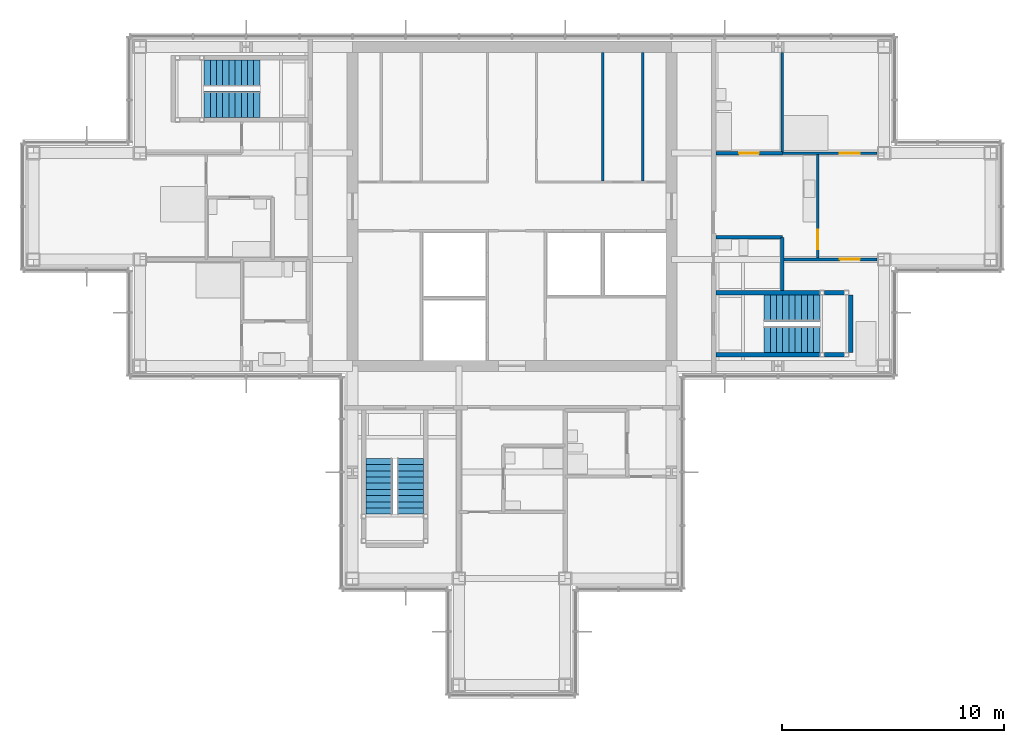
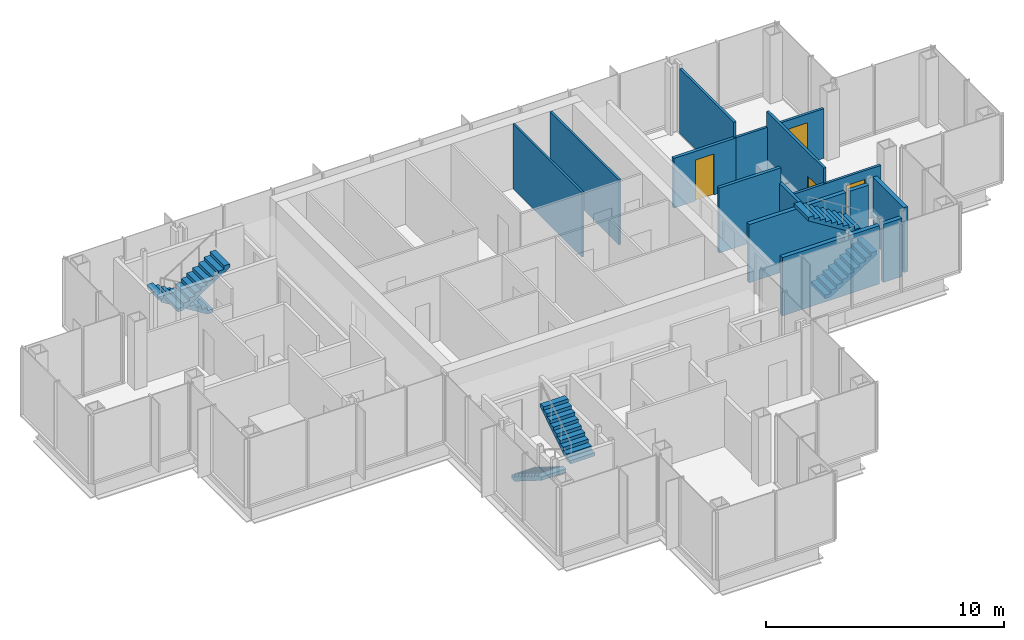
# One storey, part 12 of 15: 14 walls, 6 stair flights, 4 doors, 4 openings, 3 elements without a shape of their own.
"""IFC4 building model written with IfcOpenShell, lengths in metres."""

from ifc_helpers import new_model, si_unit, direction, frame, frame_2d, origin, place, context, subcontext, project, spatial, polyline, rectangle, outline, extrude, material, layer, layer_set, type_object, element, fill, aggregate, save


model = new_model("IFC4")

# Units and contexts
model_context = context("Model", 3, precision=1e-05, world=origin(), true_north=direction((0.0, 1.0)))
body_context = subcontext(model_context, "Body", "Model", "MODEL_VIEW")
ifc_project = project(units=[si_unit("LENGTHUNIT", "METRE"), si_unit("AREAUNIT", "SQUARE_METRE"), si_unit("VOLUMEUNIT", "CUBIC_METRE"), si_unit("PLANEANGLEUNIT", "RADIAN"), si_unit("MASSUNIT", "GRAM", prefix="KILO")], contexts=[model_context])

# Site, building, storey
site_placement = place(None, origin())
site = spatial("IfcSite", under=ifc_project, at=site_placement, CompositionType="ELEMENT")
building_placement = place(site_placement, origin())
building = spatial("IfcBuilding", under=site, at=building_placement, Name="Kvirike Care Tower", CompositionType="ELEMENT")
storey_placement = place(building_placement, frame((0.0, 0.0, 205.0)))
storey = spatial("IfcBuildingStorey", under=building, at=storey_placement, Name="L56", CompositionType="ELEMENT", Elevation=205.0)

# Walls
ifc_material_1 = material(Name="Moisture-resistant board partition", Category="gypsum")
ifc_layer_1 = layer(ifc_material_1, 0.14990234375)
ifc_layer_set_1 = layer_set([ifc_layer_1], Name="BATHROOM WALL 150")
wall_type_1 = type_object("IfcWallType", Name="BATHROOM WALL 150", PredefinedType="PARTITIONING", material=ifc_layer_set_1)
wall_1_placement = place(storey_placement, frame((33.800048828125, 32.199951171875, 0.0), z_axis=(0.0, 0.0, 1.0), x_axis=(0.0, 1.0, 0.0)))
element("IfcWall", 1, at=wall_1_placement, inside=storey, type_object=wall_type_1, Name="Bathroom Wall 150 L56", PredefinedType="PARTITIONING", context=body_context, shape_type="SweptSolid", body=[
    extrude(rectangle(XDim=2.400146484375, YDim=0.14990234375, at=frame_2d((1.2001953125, 0.0))), origin(), (0.0, 0.0, 1.0), 2.550048828125),
])
wall_2_placement = place(storey_placement, frame((33.800048828125, 34.60009765625, 0.0), z_axis=(0.0, 0.0, 1.0), x_axis=(-1.0, 0.0, 0.0)))
element("IfcWall", 2, at=wall_2_placement, inside=storey, type_object=wall_type_1, Name="Bathroom Wall 150 L56", PredefinedType="PARTITIONING", context=body_context, shape_type="SweptSolid", body=[
    extrude(rectangle(XDim=3.0, YDim=0.14990234375, at=frame_2d((1.5, 0.0))), origin(), (0.0, 0.0, 1.0), 3.330078125),
])

# Wall, opening, door
wall_3_placement = place(storey_placement, frame((33.800048828125, 38.39990234375, 0.0), z_axis=(0.0, 0.0, 1.0), x_axis=(-1.0, 0.0, 0.0)))
wall_3 = element("IfcWall", 3, at=wall_3_placement, inside=storey, type_object=wall_type_1, Name="Bathroom Wall 150 L56", PredefinedType="PARTITIONING", context=body_context, shape_type="SweptSolid", body=[
    extrude(rectangle(XDim=3.0, YDim=0.14990234375, at=frame_2d((1.5, 0.0))), origin(), (0.0, 0.0, 1.0), 2.550048828125),
])
opening_1_placement = place(wall_3_placement, frame((1.050048828125, 0.0, 0.0)))
opening_1 = element("IfcOpeningElement", 4, at=opening_1_placement, cuts=wall_3, Name="Opening 56-017", PredefinedType="OPENING", context=body_context, shape_type="SweptSolid", body=[
    extrude(rectangle(XDim=0.89990234375, YDim=2.10009765625, at=frame_2d((0.449951171875, 1.050048828125))), frame((0.0, 0.08544921875, 0.0), z_axis=(0.0, -1.0, 0.0), x_axis=(1.0, 0.0, 0.0)), (0.0, 0.0, 1.0), 0.1708984375),
])
ifc_material_2 = material(Name="Timber door set", Category="wood")
door_type_1 = type_object("IfcDoorType", Name="BATHROOM DOOR 900", OperationType="SINGLE_SWING_RIGHT", PredefinedType="DOOR", material=ifc_material_2)
door_1_placement = place(opening_1_placement, frame((0.89990234375, 0.0, 0.0), z_axis=(0.0, 0.0, 1.0), x_axis=(-1.0, 0.0, 0.0)))
door_1 = element("IfcDoor", 5, at=door_1_placement, inside=storey, type_object=door_type_1, Name="Bathroom door", OperationType="SINGLE_SWING_LEFT", OverallHeight=2.10009765625, OverallWidth=0.89990234375, PredefinedType="DOOR", context=body_context, shape_type="SweptSolid", body=[
    extrude(rectangle(XDim=0.89990234375, YDim=2.10009765625, at=frame_2d((0.449951171875, 1.050048828125))), frame((0.0, 0.02197265625, 0.0), z_axis=(0.0, -1.0, 0.0), x_axis=(1.0, 0.0, 0.0)), (0.0, 0.0, 1.0), 0.0439453125),
])
fill(opening_1, door_1)

ifc_material_3 = material(Name="Plasterboard partition", Category="gypsum")
ifc_layer_2 = layer(ifc_material_3, 0.1201171875)
ifc_layer_set_2 = layer_set([ifc_layer_2], Name="PARTITION 120")
wall_type_2 = type_object("IfcWallType", Name="PARTITION 120", PredefinedType="PARTITIONING", material=ifc_layer_set_2)
wall_4_placement = place(storey_placement, frame((35.39990234375, 33.60009765625, 0.0), z_axis=(0.0, 0.0, 1.0), x_axis=(0.0, 1.0, 0.0)))
wall_4 = element("IfcWall", 6, at=wall_4_placement, inside=storey, type_object=wall_type_2, Name="Partition 120 L56", PredefinedType="PARTITIONING", context=body_context, shape_type="SweptSolid", body=[
    extrude(rectangle(XDim=4.7998046875, YDim=0.1201171875, at=frame_2d((2.39990234375, 0.0))), origin(), (0.0, 0.0, 1.0), 3.330078125),
])
opening_2_placement = place(wall_4_placement, frame((0.449951171875, 0.0, 0.0)))
opening_2 = element("IfcOpeningElement", 7, at=opening_2_placement, cuts=wall_4, Name="Opening 56-018", PredefinedType="OPENING", context=body_context, shape_type="SweptSolid", body=[
    extrude(rectangle(XDim=0.89990234375, YDim=2.10009765625, at=frame_2d((0.449951171875, 1.050048828125))), frame((0.0, 0.070556640625, 0.0), z_axis=(0.0, -1.0, 0.0), x_axis=(1.0, 0.0, 0.0)), (0.0, 0.0, 1.0), 0.14111328125),
])
ifc_material_4 = material(Name="Timber door set", Category="wood")
door_type_2 = type_object("IfcDoorType", Name="INTERNAL DOOR 900", OperationType="SINGLE_SWING_LEFT", PredefinedType="DOOR", material=ifc_material_4)
door_2_placement = place(opening_2_placement, origin())
door_2 = element("IfcDoor", 8, at=door_2_placement, inside=storey, type_object=door_type_2, Name="Apartment living room door", OperationType="SINGLE_SWING_RIGHT", OverallHeight=2.10009765625, OverallWidth=0.89990234375, PredefinedType="DOOR", context=body_context, shape_type="SweptSolid", body=[
    extrude(rectangle(XDim=0.89990234375, YDim=2.10009765625, at=frame_2d((0.449951171875, 1.050048828125))), frame((0.0, 0.02197265625, 0.0), z_axis=(0.0, -1.0, 0.0), x_axis=(1.0, 0.0, 0.0)), (0.0, 0.0, 1.0), 0.0439453125),
])
fill(opening_2, door_2)

# Wall
wall_5_placement = place(storey_placement, frame((33.800048828125, 38.39990234375, 0.0), z_axis=(0.0, 0.0, 1.0), x_axis=(0.0, 1.0, 0.0)))
element("IfcWall", 9, at=wall_5_placement, inside=storey, type_object=wall_type_2, Name="Partition 120 L56", PredefinedType="PARTITIONING", context=body_context, shape_type="SweptSolid", body=[
    extrude(rectangle(XDim=4.552978515625, YDim=0.1201171875, at=frame_2d((2.2763671875, 0.0))), origin(), (0.0, 0.0, 1.0), 3.330078125),
])

# Wall, opening, door
wall_6_placement = place(storey_placement, frame((38.080078125, 33.60009765625, 0.0), z_axis=(0.0, 0.0, 1.0), x_axis=(-1.0, 0.0, 0.0)))
wall_6 = element("IfcWall", 10, at=wall_6_placement, inside=storey, type_object=wall_type_2, Name="Partition 120 L56", PredefinedType="PARTITIONING", context=body_context, shape_type="SweptSolid", body=[
    extrude(rectangle(XDim=4.280029296875, YDim=0.1201171875, at=frame_2d((2.14013671875, 0.0))), origin(), (0.0, 0.0, 1.0), 2.550048828125),
])
opening_3_placement = place(wall_6_placement, frame((0.780029296875, 0.0, 0.0)))
opening_3 = element("IfcOpeningElement", 11, at=opening_3_placement, cuts=wall_6, Name="Opening 56-019", PredefinedType="OPENING", context=body_context, shape_type="SweptSolid", body=[
    extrude(rectangle(XDim=0.89990234375, YDim=2.10009765625, at=frame_2d((0.449951171875, 1.050048828125))), frame((0.0, 0.070556640625, 0.0), z_axis=(0.0, -1.0, 0.0), x_axis=(1.0, 0.0, 0.0)), (0.0, 0.0, 1.0), 0.14111328125),
])
door_3_placement = place(opening_3_placement, origin())
door_3 = element("IfcDoor", 12, at=door_3_placement, inside=storey, type_object=door_type_2, Name="Connecting door", OperationType="SINGLE_SWING_RIGHT", OverallHeight=2.10009765625, OverallWidth=0.89990234375, PredefinedType="DOOR", context=body_context, shape_type="SweptSolid", body=[
    extrude(rectangle(XDim=0.89990234375, YDim=2.10009765625, at=frame_2d((0.449951171875, 1.050048828125))), frame((0.0, 0.02197265625, 0.0), z_axis=(0.0, -1.0, 0.0), x_axis=(1.0, 0.0, 0.0)), (0.0, 0.0, 1.0), 0.0439453125),
])
fill(opening_3, door_3)

wall_7_placement = place(storey_placement, frame((38.080078125, 38.39990234375, 0.0), z_axis=(0.0, 0.0, 1.0), x_axis=(-1.0, 0.0, 0.0)))
wall_7 = element("IfcWall", 13, at=wall_7_placement, inside=storey, type_object=wall_type_2, Name="Partition 120 L56", PredefinedType="PARTITIONING", context=body_context, shape_type="SweptSolid", body=[
    extrude(rectangle(XDim=4.280029296875, YDim=0.1201171875, at=frame_2d((2.14013671875, 0.0))), origin(), (0.0, 0.0, 1.0), 2.550048828125),
])
opening_4_placement = place(wall_7_placement, frame((0.780029296875, 0.0, 0.0)))
opening_4 = element("IfcOpeningElement", 14, at=opening_4_placement, cuts=wall_7, Name="Opening 56-020", PredefinedType="OPENING", context=body_context, shape_type="SweptSolid", body=[
    extrude(rectangle(XDim=0.89990234375, YDim=2.10009765625, at=frame_2d((0.449951171875, 1.050048828125))), frame((0.0, 0.070556640625, 0.0), z_axis=(0.0, -1.0, 0.0), x_axis=(1.0, 0.0, 0.0)), (0.0, 0.0, 1.0), 0.14111328125),
])
door_4_placement = place(opening_4_placement, frame((0.89990234375, 0.0, 0.0), z_axis=(0.0, 0.0, 1.0), x_axis=(-1.0, 0.0, 0.0)))
door_4 = element("IfcDoor", 15, at=door_4_placement, inside=storey, type_object=door_type_2, Name="Connecting door", OperationType="SINGLE_SWING_LEFT", OverallHeight=2.10009765625, OverallWidth=0.89990234375, PredefinedType="DOOR", context=body_context, shape_type="SweptSolid", body=[
    extrude(rectangle(XDim=0.89990234375, YDim=2.10009765625, at=frame_2d((0.449951171875, 1.050048828125))), frame((0.0, 0.02197265625, 0.0), z_axis=(0.0, -1.0, 0.0), x_axis=(1.0, 0.0, 0.0)), (0.0, 0.0, 1.0), 0.0439453125),
])
fill(opening_4, door_4)

# Walls
ifc_material_5 = material(Name="Gypsum shaft wall system", Category="gypsum")
ifc_layer_3 = layer(ifc_material_5, 0.10009765625)
ifc_layer_set_3 = layer_set([ifc_layer_3], Name="SHAFT WALL 100")
wall_type_3 = type_object("IfcWallType", Name="SHAFT WALL 100", PredefinedType="SOLIDWALL", material=ifc_layer_set_3)
for number, where, z_axis, x_axis, name in (
    (16, (27.5, 37.14990234375, 0.0), (0.0, 0.0, 1.0), (0.0, 1.0, 0.0), "Shaft Wall 100 L56"),
    (17, (25.699951171875, 37.14990234375, 0.0), (0.0, 0.0, 1.0), (0.0, 1.0, 0.0), "Shaft Wall 100 L56"),
):
    element("IfcWall", number, at=place(storey_placement, frame(where, z_axis=z_axis, x_axis=x_axis)), inside=storey, type_object=wall_type_3, Name=name, PredefinedType="SOLIDWALL", context=body_context, shape_type="SweptSolid", body=[
        extrude(rectangle(XDim=5.800048828125, YDim=0.10009765625, at=frame_2d((2.89990234375, 0.0))), origin(), (0.0, 0.0, 1.0), 3.330078125),
    ])
ifc_material_6 = material(Name="Concrete C40/50", Category="concrete")
ifc_layer_4 = layer(ifc_material_6, 0.199951171875)
ifc_layer_set_4 = layer_set([ifc_layer_4], Name="STAIR WALL 200")
wall_type_4 = type_object("IfcWallType", Name="STAIR WALL 200", PredefinedType="SOLIDWALL", material=ifc_layer_set_4)
wall_8_placement = place(storey_placement, frame((36.60009765625, 29.300048828125, 0.0), z_axis=(0.0, 0.0, 1.0), x_axis=(-1.0, 0.0, 0.0)))
element("IfcWall", 18, at=wall_8_placement, inside=storey, type_object=wall_type_4, Name="Stair Wall 200 L56", PredefinedType="SOLIDWALL", context=body_context, shape_type="SweptSolid", body=[
    extrude(rectangle(XDim=0.900146484375, YDim=0.199951171875, at=frame_2d((0.4501953125, 0.0))), origin(), (0.0, 0.0, 1.0), 2.989990234375),
])
wall_9_placement = place(storey_placement, frame((35.5, 29.300048828125, 0.0), z_axis=(0.0, 0.0, 1.0), x_axis=(-1.0, 0.0, 0.0)))
element("IfcWall", 19, at=wall_9_placement, inside=storey, type_object=wall_type_4, Name="Stair Wall 200 L56", PredefinedType="SOLIDWALL", context=body_context, shape_type="SweptSolid", body=[
    extrude(rectangle(XDim=4.699951171875, YDim=0.199951171875, at=frame_2d((2.35009765625, 0.0))), origin(), (0.0, 0.0, 1.0), 2.989990234375),
])
wall_10_placement = place(storey_placement, frame((36.60009765625, 32.10009765625, 0.0), z_axis=(0.0, 0.0, 1.0), x_axis=(-1.0, 0.0, 0.0)))
element("IfcWall", 20, at=wall_10_placement, inside=storey, type_object=wall_type_4, Name="Stair Wall 200 L56", PredefinedType="SOLIDWALL", context=body_context, shape_type="SweptSolid", body=[
    extrude(rectangle(XDim=0.900146484375, YDim=0.199951171875, at=frame_2d((0.4501953125, 0.0))), origin(), (0.0, 0.0, 1.0), 2.989990234375),
])
wall_11_placement = place(storey_placement, frame((35.5, 32.10009765625, 0.0), z_axis=(0.0, 0.0, 1.0), x_axis=(-1.0, 0.0, 0.0)))
element("IfcWall", 21, at=wall_11_placement, inside=storey, type_object=wall_type_4, Name="Stair Wall 200 L56", PredefinedType="SOLIDWALL", context=body_context, shape_type="SweptSolid", body=[
    extrude(rectangle(XDim=4.699951171875, YDim=0.199951171875, at=frame_2d((2.35009765625, 0.0))), origin(), (0.0, 0.0, 1.0), 2.989990234375),
])
wall_12_placement = place(storey_placement, frame((36.89990234375, 29.39990234375, 0.0), z_axis=(0.0, 0.0, 1.0), x_axis=(0.0, 1.0, 0.0)))
element("IfcWall", 22, at=wall_12_placement, inside=storey, type_object=wall_type_4, Name="Stair Wall 200 L56", PredefinedType="SOLIDWALL", context=body_context, shape_type="SweptSolid", body=[
    extrude(rectangle(XDim=2.60009765625, YDim=0.199951171875, at=frame_2d((1.300048828125, 0.0))), origin(), (0.0, 0.0, 1.0), 3.330078125),
])

# Stair, stair flights
ifc_material_7 = material(Name="Concrete C35/45", Category="concrete")
stair_type = type_object("IfcStairType", Name="STAIR 20 RISERS", PredefinedType="HALF_TURN_STAIR", material=ifc_material_7)
stair_1_placement = place(storey_placement, origin())
stair_1 = element("IfcStair", 23, at=stair_1_placement, inside=storey, type_object=stair_type, Name="Stair 1 L56", PredefinedType="HALF_TURN_STAIR")
ifc_material_8 = material(Name="Concrete C35/45", Category="concrete")
stair_flight_type = type_object("IfcStairFlightType", Name="FLIGHT 10 RISERS", PredefinedType="STRAIGHT", material=ifc_material_8)
stair_flight_1_placement = place(storey_placement, frame((10.219970703125, 42.0, 0.0), z_axis=(0.0, 0.0, 1.0), x_axis=(-1.0, 0.0, 0.0)))
stair_flight_1 = element("IfcStairFlight", 24, at=stair_flight_1_placement, type_object=stair_flight_type, Name="Stair S1 flight 1 L56-L57", NumberOfRisers=10, NumberOfTreads=9, PredefinedType="STRAIGHT", RiserHeight=0.175, TreadLength=0.28, context=body_context, shape_type="SweptSolid", body=[
    extrude(outline(polyline([(0.0, 0.0), (0.0, 0.175048828125), (0.280029296875, 0.175048828125), (0.280029296875, 0.35009765625), (0.56005859375, 0.35009765625), (0.56005859375, 0.52490234375), (0.840087890625, 0.52490234375), (0.840087890625, 0.699951171875), (1.1201171875, 0.699951171875), (1.1201171875, 0.875), (1.39990234375, 0.875), (1.39990234375, 1.050048828125), (1.679931640625, 1.050048828125), (1.679931640625, 1.22509765625), (1.9599609375, 1.22509765625), (1.9599609375, 1.39990234375), (2.239990234375, 1.39990234375), (2.239990234375, 1.574951171875), (2.52001953125, 1.574951171875), (2.52001953125, 1.75), (2.52001953125, 1.398193359375), (0.28271484375, 0.0), (0.0, 0.0)])), frame((0.0, 0.60009765625, 0.0), z_axis=(0.0, -1.0, 0.0), x_axis=(1.0, 0.0, 0.0)), (0.0, 0.0, 1.0), 1.199951171875),
])
stair_flight_2_placement = place(storey_placement, frame((7.699951171875, 40.60009765625, 1.75), z_axis=(0.0, 0.0, 1.0), x_axis=(1.0, 0.0, 0.0)))
stair_flight_2 = element("IfcStairFlight", 25, at=stair_flight_2_placement, type_object=stair_flight_type, Name="Stair S1 flight 2 L56-L57", NumberOfRisers=10, NumberOfTreads=9, PredefinedType="STRAIGHT", RiserHeight=0.175, TreadLength=0.28, context=body_context, shape_type="SweptSolid", body=[
    extrude(outline(polyline([(0.0, 0.0), (0.0, 0.175048828125), (0.280029296875, 0.175048828125), (0.280029296875, 0.35009765625), (0.56005859375, 0.35009765625), (0.56005859375, 0.52490234375), (0.840087890625, 0.52490234375), (0.840087890625, 0.699951171875), (1.1201171875, 0.699951171875), (1.1201171875, 0.875), (1.39990234375, 0.875), (1.39990234375, 1.050048828125), (1.679931640625, 1.050048828125), (1.679931640625, 1.22509765625), (1.9599609375, 1.22509765625), (1.9599609375, 1.39990234375), (2.239990234375, 1.39990234375), (2.239990234375, 1.574951171875), (2.52001953125, 1.574951171875), (2.52001953125, 1.75), (2.52001953125, 1.398193359375), (0.28271484375, 0.0), (0.0, 0.0)])), frame((0.0, 0.60009765625, 0.0), z_axis=(0.0, -1.0, 0.0), x_axis=(1.0, 0.0, 0.0)), (0.0, 0.0, 1.0), 1.199951171875),
])
aggregate(stair_1, [stair_flight_1, stair_flight_2])

stair_2_placement = place(storey_placement, origin())
stair_2 = element("IfcStair", 26, at=stair_2_placement, inside=storey, type_object=stair_type, Name="Stair 2 L56", PredefinedType="HALF_TURN_STAIR")
stair_flight_3_placement = place(storey_placement, frame((32.97998046875, 30.0, 0.0), z_axis=(0.0, 0.0, 1.0), x_axis=(1.0, 0.0, 0.0)))
stair_flight_3 = element("IfcStairFlight", 27, at=stair_flight_3_placement, type_object=stair_flight_type, Name="Stair S2 flight 1 L56-L57", NumberOfRisers=10, NumberOfTreads=9, PredefinedType="STRAIGHT", RiserHeight=0.175, TreadLength=0.28, context=body_context, shape_type="SweptSolid", body=[
    extrude(outline(polyline([(0.0, 0.0), (0.0, 0.175048828125), (0.280029296875, 0.175048828125), (0.280029296875, 0.35009765625), (0.56005859375, 0.35009765625), (0.56005859375, 0.52490234375), (0.840087890625, 0.52490234375), (0.840087890625, 0.699951171875), (1.1201171875, 0.699951171875), (1.1201171875, 0.875), (1.39990234375, 0.875), (1.39990234375, 1.050048828125), (1.679931640625, 1.050048828125), (1.679931640625, 1.22509765625), (1.9599609375, 1.22509765625), (1.9599609375, 1.39990234375), (2.239990234375, 1.39990234375), (2.239990234375, 1.574951171875), (2.52001953125, 1.574951171875), (2.52001953125, 1.75), (2.52001953125, 1.398193359375), (0.28271484375, 0.0), (0.0, 0.0)])), frame((0.0, 0.60009765625, 0.0), z_axis=(0.0, -1.0, 0.0), x_axis=(1.0, 0.0, 0.0)), (0.0, 0.0, 1.0), 1.199951171875),
])
stair_flight_4_placement = place(storey_placement, frame((35.5, 31.39990234375, 1.75), z_axis=(0.0, 0.0, 1.0), x_axis=(-1.0, 0.0, 0.0)))
stair_flight_4 = element("IfcStairFlight", 28, at=stair_flight_4_placement, type_object=stair_flight_type, Name="Stair S2 flight 2 L56-L57", NumberOfRisers=10, NumberOfTreads=9, PredefinedType="STRAIGHT", RiserHeight=0.175, TreadLength=0.28, context=body_context, shape_type="SweptSolid", body=[
    extrude(outline(polyline([(0.0, 0.0), (0.0, 0.175048828125), (0.280029296875, 0.175048828125), (0.280029296875, 0.35009765625), (0.56005859375, 0.35009765625), (0.56005859375, 0.52490234375), (0.840087890625, 0.52490234375), (0.840087890625, 0.699951171875), (1.1201171875, 0.699951171875), (1.1201171875, 0.875), (1.39990234375, 0.875), (1.39990234375, 1.050048828125), (1.679931640625, 1.050048828125), (1.679931640625, 1.22509765625), (1.9599609375, 1.22509765625), (1.9599609375, 1.39990234375), (2.239990234375, 1.39990234375), (2.239990234375, 1.574951171875), (2.52001953125, 1.574951171875), (2.52001953125, 1.75), (2.52001953125, 1.398193359375), (0.28271484375, 0.0), (0.0, 0.0)])), frame((0.0, 0.60009765625, 0.0), z_axis=(0.0, -1.0, 0.0), x_axis=(1.0, 0.0, 0.0)), (0.0, 0.0, 1.0), 1.199951171875),
])
aggregate(stair_2, [stair_flight_3, stair_flight_4])

stair_3_placement = place(storey_placement, origin())
stair_3 = element("IfcStair", 29, at=stair_3_placement, inside=storey, type_object=stair_type, Name="Stair 5 L56", PredefinedType="HALF_TURN_STAIR")
stair_flight_5_placement = place(storey_placement, frame((15.60009765625, 24.6201171875, 0.0), z_axis=(0.0, 0.0, 1.0), x_axis=(0.0, -1.0, 0.0)))
stair_flight_5 = element("IfcStairFlight", 30, at=stair_flight_5_placement, type_object=stair_flight_type, Name="Stair S5 flight 1 L56-L57", NumberOfRisers=10, NumberOfTreads=9, PredefinedType="STRAIGHT", RiserHeight=0.175, TreadLength=0.28, context=body_context, shape_type="SweptSolid", body=[
    extrude(outline(polyline([(0.0, 0.0), (0.0, 0.175048828125), (0.280029296875, 0.175048828125), (0.280029296875, 0.35009765625), (0.56005859375, 0.35009765625), (0.56005859375, 0.52490234375), (0.840087890625, 0.52490234375), (0.840087890625, 0.699951171875), (1.1201171875, 0.699951171875), (1.1201171875, 0.875), (1.39990234375, 0.875), (1.39990234375, 1.050048828125), (1.679931640625, 1.050048828125), (1.679931640625, 1.22509765625), (1.9599609375, 1.22509765625), (1.9599609375, 1.39990234375), (2.239990234375, 1.39990234375), (2.239990234375, 1.574951171875), (2.52001953125, 1.574951171875), (2.52001953125, 1.75), (2.52001953125, 1.398193359375), (0.28271484375, 0.0), (0.0, 0.0)])), frame((0.0, 0.60009765625, 0.0), z_axis=(0.0, -1.0, 0.0), x_axis=(1.0, 0.0, 0.0)), (0.0, 0.0, 1.0), 1.199951171875),
])
stair_flight_6_placement = place(storey_placement, frame((17.0, 22.10009765625, 1.75), z_axis=(0.0, 0.0, 1.0), x_axis=(0.0, 1.0, 0.0)))
stair_flight_6 = element("IfcStairFlight", 31, at=stair_flight_6_placement, type_object=stair_flight_type, Name="Stair S5 flight 2 L56-L57", NumberOfRisers=10, NumberOfTreads=9, PredefinedType="STRAIGHT", RiserHeight=0.175, TreadLength=0.28, context=body_context, shape_type="SweptSolid", body=[
    extrude(outline(polyline([(0.0, 0.0), (0.0, 0.175048828125), (0.280029296875, 0.175048828125), (0.280029296875, 0.35009765625), (0.56005859375, 0.35009765625), (0.56005859375, 0.52490234375), (0.840087890625, 0.52490234375), (0.840087890625, 0.699951171875), (1.1201171875, 0.699951171875), (1.1201171875, 0.875), (1.39990234375, 0.875), (1.39990234375, 1.050048828125), (1.679931640625, 1.050048828125), (1.679931640625, 1.22509765625), (1.9599609375, 1.22509765625), (1.9599609375, 1.39990234375), (2.239990234375, 1.39990234375), (2.239990234375, 1.574951171875), (2.52001953125, 1.574951171875), (2.52001953125, 1.75), (2.52001953125, 1.398193359375), (0.28271484375, 0.0), (0.0, 0.0)])), frame((0.0, 0.60009765625, 0.0), z_axis=(0.0, -1.0, 0.0), x_axis=(1.0, 0.0, 0.0)), (0.0, 0.0, 1.0), 1.199951171875),
])
aggregate(stair_3, [stair_flight_5, stair_flight_6])

save(model, "model.ifc")
